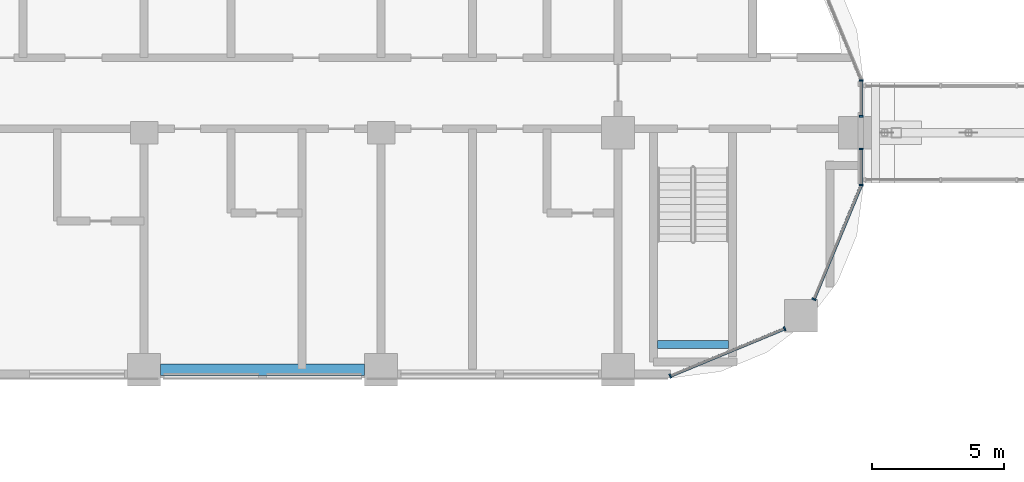
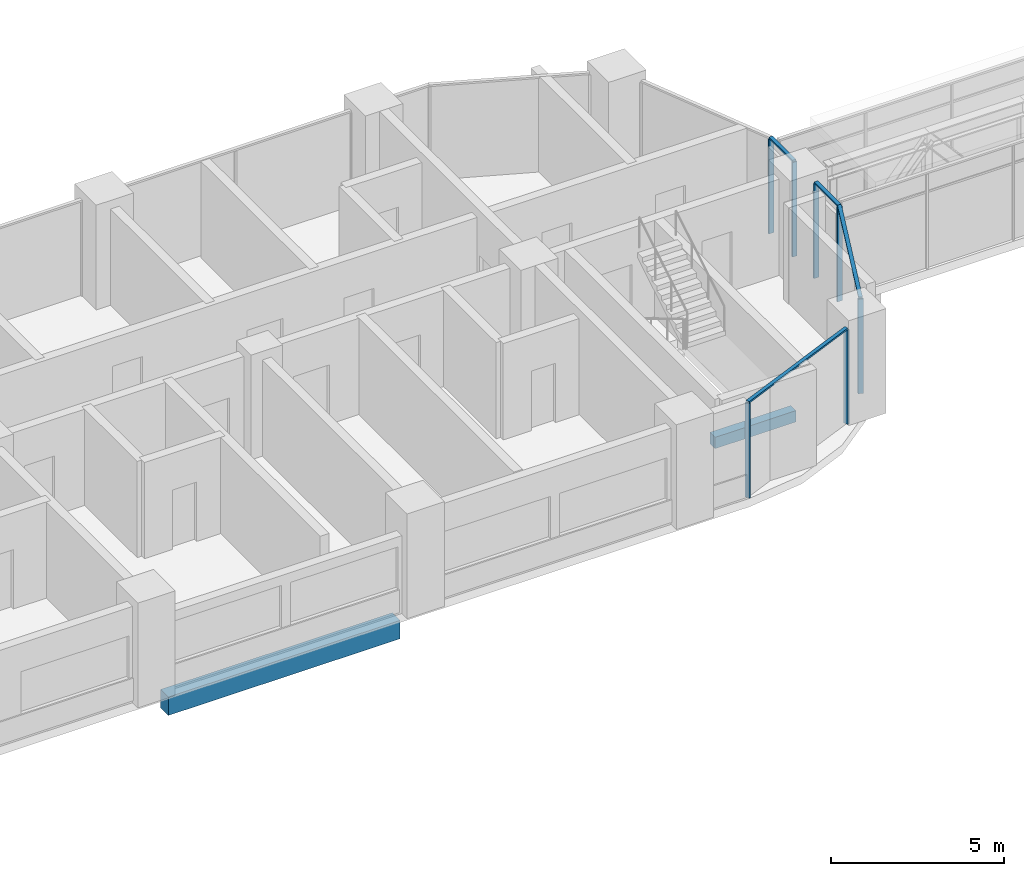
# One storey, part 3 of 33: 11 members, 2 beams, 4 elements without a shape of their own.
"""IFC4 building model written with IfcOpenShell, lengths in metres."""

from ifc_helpers import new_model, si_unit, direction, frame, origin, origin_2d, place, context, subcontext, project, spatial, rectangle, extrude, material, material_profile, profile_set, type_object, element, aggregate, save


model = new_model("IFC4")

# Units and contexts
model_context = context("Model", 3, precision=1e-05, world=origin(), true_north=direction((0.0, 1.0)))
body_context = subcontext(model_context, "Body", "Model", "MODEL_VIEW")
ifc_project = project(units=[si_unit("LENGTHUNIT", "METRE"), si_unit("AREAUNIT", "SQUARE_METRE"), si_unit("VOLUMEUNIT", "CUBIC_METRE"), si_unit("PLANEANGLEUNIT", "RADIAN"), si_unit("MASSUNIT", "GRAM", prefix="KILO")], contexts=[model_context])

# Site, building, storey
site_placement = place(None, origin())
site = spatial("IfcSite", under=ifc_project, at=site_placement, CompositionType="ELEMENT")
building_placement = place(site_placement, origin())
building = spatial("IfcBuilding", under=site, at=building_placement, Name="Ogive Portal Towers", CompositionType="ELEMENT")
storey_placement = place(building_placement, frame((0.0, 0.0, 101.89990234375)))
storey = spatial("IfcBuildingStorey", under=building, at=storey_placement, Name="L24", CompositionType="ELEMENT", Elevation=101.89990234375)

# Beam
ifc_material_1 = material(Name="Concrete C40/50", Category="concrete")
ifc_material_profile_1 = material_profile(ifc_material_1, rectangle(XDim=0.300048828125, YDim=0.39990234375, at=origin_2d()), Name="RC 300x400")
ifc_profile_set_1 = profile_set([ifc_material_profile_1], Name="Concrete C40/50")
beam_type_1 = type_object("IfcBeamType", Name="BEAM RC 300x400", PredefinedType="BEAM", material=ifc_profile_set_1)
beam_1_placement = place(storey_placement, frame((87.0, 22.449951171875, 1.4501953125), z_axis=(1.0, 0.0, 0.0), x_axis=(0.0, 1.0, 0.0)))
element("IfcBeam", 1, at=beam_1_placement, inside=storey, type_object=beam_type_1, Name="Landing beam L24", PredefinedType="BEAM", context=body_context, shape_type="SweptSolid", body=[
    extrude(rectangle(XDim=0.300048828125, YDim=0.39990234375, at=origin_2d()), origin(), (0.0, 0.0, 1.0), 2.699951171875),
])

# Curtain wall, members
ifc_material_2 = material(Name="Glass, clear low-iron insulated glazing", Category="glass")
curtain_wall_type = type_object("IfcCurtainWallType", Name="CW FRONT RIBBON 4500", PredefinedType="NOTDEFINED", material=ifc_material_2)
curtain_wall_1_placement = place(storey_placement, origin())
curtain_wall_1 = element("IfcCurtainWall", 2, at=curtain_wall_1_placement, inside=storey, type_object=curtain_wall_type, Name="A:L24:f23:cw0~0", PredefinedType="NOTDEFINED")
ifc_material_3 = material(Name="Aluminium 6063 anodised", Category="aluminium")
ifc_material_profile_2 = material_profile(ifc_material_3, rectangle(XDim=0.159912109375, YDim=0.06005859375, at=origin_2d()), Name="AL 60x160")
ifc_profile_set_2 = profile_set([ifc_material_profile_2], Name="Aluminium 6063 anodised")
member_type_1 = type_object("IfcMemberType", Name="CW MULLION 60x160", PredefinedType="MULLION", material=ifc_profile_set_2)
member_1_placement = place(storey_placement, frame((94.739990234375, 28.515869140625, 0.0), z_axis=(0.0, 0.0, 1.0), x_axis=(-1.0, 0.0, 0.0)))
member_1 = element("IfcMember", 3, at=member_1_placement, type_object=member_type_1, Name="mullion", PredefinedType="MULLION", context=body_context, shape_type="SweptSolid", body=[
    extrude(rectangle(XDim=0.159912109375, YDim=0.06005859375, at=origin_2d()), origin(), (0.0, 0.0, 1.0), 3.340087890625),
])
member_2_placement = place(storey_placement, frame((94.739990234375, 29.875, 0.0), z_axis=(0.0, 0.0, 1.0), x_axis=(-1.0, 0.0, 0.0)))
member_2 = element("IfcMember", 4, at=member_2_placement, type_object=member_type_1, Name="mullion", PredefinedType="MULLION", context=body_context, shape_type="SweptSolid", body=[
    extrude(rectangle(XDim=0.159912109375, YDim=0.06005859375, at=origin_2d()), origin(), (0.0, 0.0, 1.0), 3.340087890625),
])

curtain_wall_2_placement = place(storey_placement, origin())
curtain_wall_2 = element("IfcCurtainWall", 5, at=curtain_wall_2_placement, inside=storey, type_object=curtain_wall_type, Name="A:L24:f23:cw0~1", PredefinedType="NOTDEFINED")
member_3_placement = place(storey_placement, frame((94.739990234375, 31.125, 0.0), z_axis=(0.0, 0.0, 1.0), x_axis=(-1.0, 0.0, 0.0)))
member_3 = element("IfcMember", 6, at=member_3_placement, type_object=member_type_1, Name="mullion", PredefinedType="MULLION", context=body_context, shape_type="SweptSolid", body=[
    extrude(rectangle(XDim=0.159912109375, YDim=0.06005859375, at=origin_2d()), origin(), (0.0, 0.0, 1.0), 3.340087890625),
])
member_4_placement = place(storey_placement, frame((94.739990234375, 32.484130859375, 0.0), z_axis=(0.0, 0.0, 1.0), x_axis=(-1.0, 0.0, 0.0)))
member_4 = element("IfcMember", 7, at=member_4_placement, type_object=member_type_1, Name="mullion", PredefinedType="MULLION", context=body_context, shape_type="SweptSolid", body=[
    extrude(rectangle(XDim=0.159912109375, YDim=0.06005859375, at=origin_2d()), origin(), (0.0, 0.0, 1.0), 3.340087890625),
])

curtain_wall_3_placement = place(storey_placement, origin())
curtain_wall_3 = element("IfcCurtainWall", 8, at=curtain_wall_3_placement, inside=storey, type_object=curtain_wall_type, Name="A:L24:f21:cwa~0", PredefinedType="NOTDEFINED")
member_5_placement = place(storey_placement, frame((87.484130859375, 21.260009765625, 0.0), z_axis=(0.0, 0.0, 1.0), x_axis=(-0.382683432365, 0.923879532511, 0.0)))
member_5 = element("IfcMember", 9, at=member_5_placement, type_object=member_type_1, Name="mullion", PredefinedType="MULLION", context=body_context, shape_type="SweptSolid", body=[
    extrude(rectangle(XDim=0.159912109375, YDim=0.06005859375, at=origin_2d()), origin(), (0.0, 0.0, 1.0), 3.340087890625),
])
member_6_placement = place(storey_placement, frame((91.824951171875, 23.05810546875, 0.0), z_axis=(0.0, 0.0, 1.0), x_axis=(-0.382683432365, 0.923879532511, 0.0)))
member_6 = element("IfcMember", 10, at=member_6_placement, type_object=member_type_1, Name="mullion", PredefinedType="MULLION", context=body_context, shape_type="SweptSolid", body=[
    extrude(rectangle(XDim=0.159912109375, YDim=0.06005859375, at=origin_2d()), origin(), (0.0, 0.0, 1.0), 3.340087890625),
])

# Curtain wall, member
curtain_wall_4_placement = place(storey_placement, origin())
curtain_wall_4 = element("IfcCurtainWall", 11, at=curtain_wall_4_placement, inside=storey, type_object=curtain_wall_type, Name="A:L24:f21:cwa~1", PredefinedType="NOTDEFINED")
member_7_placement = place(storey_placement, frame((92.94189453125, 24.175048828125, 0.0), z_axis=(0.0, 0.0, 1.0), x_axis=(-0.923879532511, 0.382683432365, 0.0)))
member_7 = element("IfcMember", 12, at=member_7_placement, type_object=member_type_1, Name="mullion", PredefinedType="MULLION", context=body_context, shape_type="SweptSolid", body=[
    extrude(rectangle(XDim=0.159912109375, YDim=0.06005859375, at=origin_2d()), origin(), (0.0, 0.0, 1.0), 3.340087890625),
])

# Member
ifc_material_profile_3 = material_profile(ifc_material_3, rectangle(XDim=0.1201171875, YDim=0.06005859375, at=origin_2d()), Name="AL 120x60")
ifc_profile_set_3 = profile_set([ifc_material_profile_3], Name="Aluminium 6063 anodised")
member_type_2 = type_object("IfcMemberType", Name="CW TRANSOM 60x120", PredefinedType="USERDEFINED", material=ifc_profile_set_3)
member_8_placement = place(storey_placement, frame((94.739990234375, 28.515869140625, 3.3701171875), z_axis=(0.0, 1.0, 0.0), x_axis=(-1.0, 0.0, 0.0)))
member_8 = element("IfcMember", 13, at=member_8_placement, type_object=member_type_2, Name="transom", ObjectType="TRANSOM", PredefinedType="USERDEFINED", context=body_context, shape_type="SweptSolid", body=[
    extrude(rectangle(XDim=0.1201171875, YDim=0.06005859375, at=origin_2d()), origin(), (0.0, 0.0, 1.0), 1.359130859375),
])

aggregate(curtain_wall_1, [member_8, member_1, member_2])

member_9_placement = place(storey_placement, frame((94.739990234375, 31.125, 3.3701171875), z_axis=(0.0, 1.0, 0.0), x_axis=(-1.0, 0.0, 0.0)))
member_9 = element("IfcMember", 14, at=member_9_placement, type_object=member_type_2, Name="transom", ObjectType="TRANSOM", PredefinedType="USERDEFINED", context=body_context, shape_type="SweptSolid", body=[
    extrude(rectangle(XDim=0.1201171875, YDim=0.06005859375, at=origin_2d()), origin(), (0.0, 0.0, 1.0), 1.359130859375),
])

aggregate(curtain_wall_2, [member_9, member_3, member_4])

member_10_placement = place(storey_placement, frame((87.484130859375, 21.260009765625, 3.3701171875), z_axis=(0.923874335946, 0.382695977742, 0.0), x_axis=(-0.382695977742, 0.923874335946, 0.0)))
member_10 = element("IfcMember", 15, at=member_10_placement, type_object=member_type_2, Name="transom", ObjectType="TRANSOM", PredefinedType="USERDEFINED", context=body_context, shape_type="SweptSolid", body=[
    extrude(rectangle(XDim=0.1201171875, YDim=0.06005859375, at=origin_2d()), origin(), (0.0, 0.0, 1.0), 4.698486328125),
])

aggregate(curtain_wall_3, [member_10, member_5, member_6])

member_11_placement = place(storey_placement, frame((92.94189453125, 24.175048828125, 3.3701171875), z_axis=(0.382695977742, 0.923874335946, 0.0), x_axis=(-0.923874335946, 0.382695977742, 0.0)))
member_11 = element("IfcMember", 16, at=member_11_placement, type_object=member_type_2, Name="transom", ObjectType="TRANSOM", PredefinedType="USERDEFINED", context=body_context, shape_type="SweptSolid", body=[
    extrude(rectangle(XDim=0.1201171875, YDim=0.06005859375, at=origin_2d()), origin(), (0.0, 0.0, 1.0), 4.698486328125),
])

aggregate(curtain_wall_4, [member_11, member_7])

# Beam
ifc_material_4 = material(Name="Concrete C50/60", Category="concrete")
ifc_material_profile_4 = material_profile(ifc_material_4, rectangle(XDim=0.449951171875, YDim=0.64990234375, at=origin_2d()), Name="RC 450x650")
ifc_profile_set_4 = profile_set([ifc_material_profile_4], Name="Concrete C50/60")
beam_type_2 = type_object("IfcBeamType", Name="SPANDREL BEAM RC 450x650", PredefinedType="BEAM", material=ifc_profile_set_4)
beam_2_placement = place(storey_placement, frame((75.875, 21.5, -0.625), z_axis=(-1.0, 0.0, 0.0), x_axis=(0.0, -1.0, 0.0)))
element("IfcBeam", 17, at=beam_2_placement, inside=storey, type_object=beam_type_2, Name="Spandrel beam L24", PredefinedType="BEAM", context=body_context, shape_type="SweptSolid", body=[
    extrude(rectangle(XDim=0.449951171875, YDim=0.64990234375, at=origin_2d()), origin(), (0.0, 0.0, 1.0), 7.75),
])

save(model, "model.ifc")
